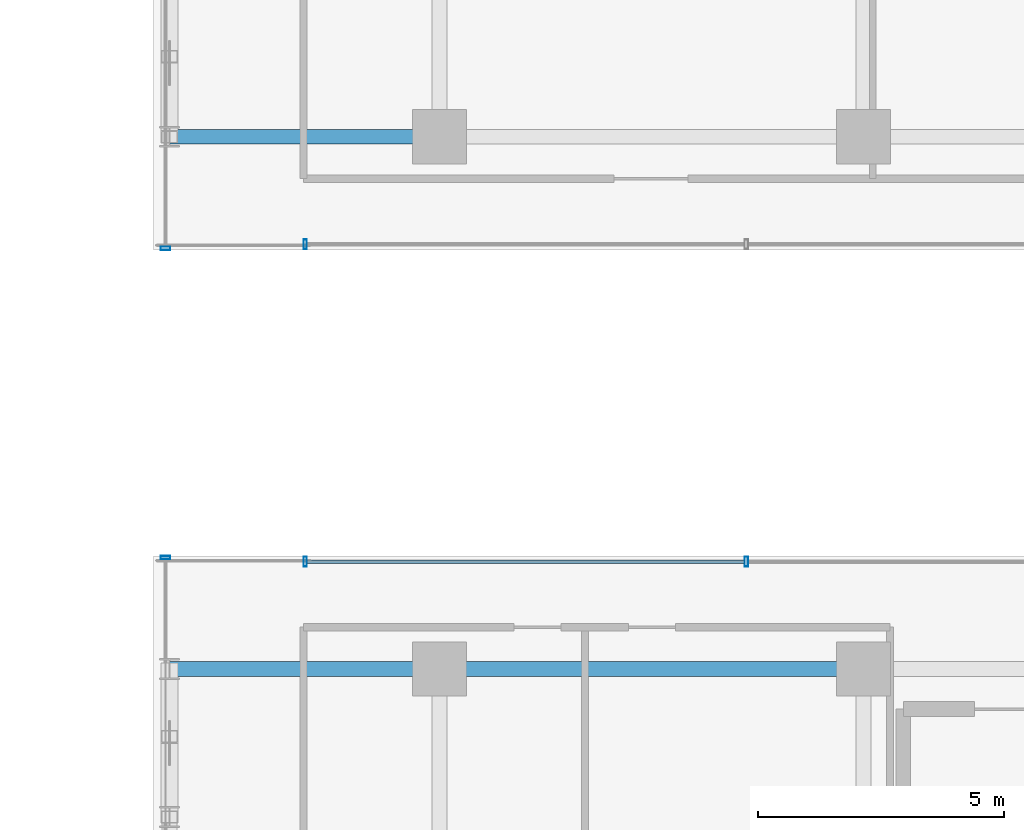
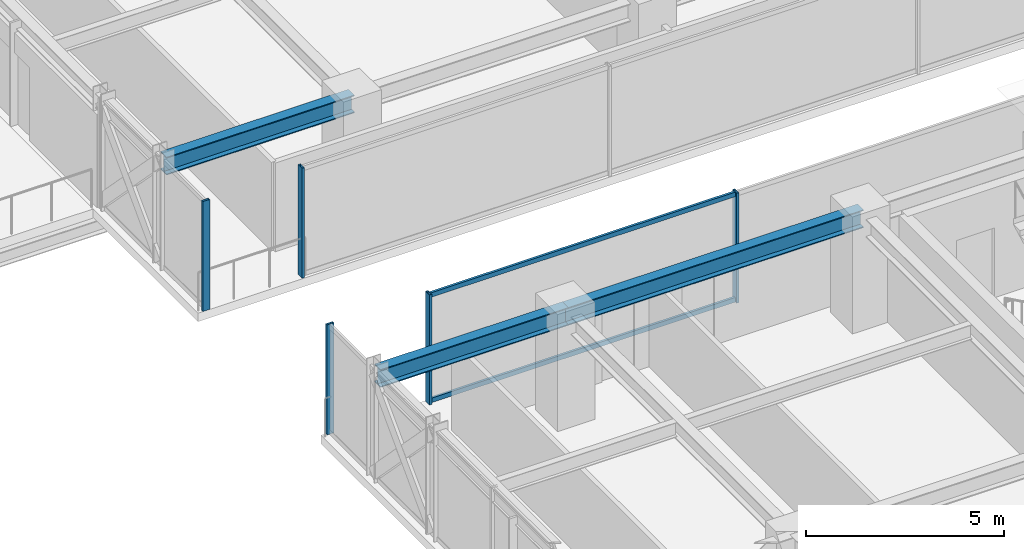
# One storey, part 8 of 43: 7 members, 3 beams, 4 elements without a shape of their own.
"""IFC4 building model written with IfcOpenShell, lengths in metres."""

from ifc_helpers import new_model, si_unit, direction, frame, origin, origin_2d, place, context, subcontext, project, spatial, hollow_rectangle, i_section, extrude, source, transform, mapped, material, material_profile, profile_set, type_object, element, aggregate, save


model = new_model("IFC4")

# Units and contexts
model_context = context("Model", 3, precision=1e-05, world=origin(), true_north=direction((0.0, 1.0)))
body_context = subcontext(model_context, "Body", "Model", "MODEL_VIEW")
ifc_project = project(units=[si_unit("LENGTHUNIT", "METRE"), si_unit("AREAUNIT", "SQUARE_METRE"), si_unit("VOLUMEUNIT", "CUBIC_METRE"), si_unit("PLANEANGLEUNIT", "RADIAN"), si_unit("MASSUNIT", "GRAM", prefix="KILO")], contexts=[model_context])

# Site, building, storey
site_placement = place(None, origin())
site = spatial("IfcSite", under=ifc_project, at=site_placement, CompositionType="ELEMENT")
building_placement = place(site_placement, origin())
building = spatial("IfcBuilding", under=site, at=building_placement, Name="Nahalor Promenade Grand Hotel", CompositionType="ELEMENT")
storey_placement = place(building_placement, frame((0.0, 0.0, 181.85009765625)))
storey = spatial("IfcBuildingStorey", under=building, at=storey_placement, Name="L46", CompositionType="ELEMENT", Elevation=181.85009765625)

# Beams
ifc_material_1 = material(Name="Steel S355JR", Category="steel")
ifc_material_profile_1 = material_profile(ifc_material_1, i_section(OverallWidth=0.3, OverallDepth=0.55, WebThickness=0.015, FlangeThickness=0.029, at=origin_2d()), Name="HEB 550")
ifc_profile_set_1 = profile_set([ifc_material_profile_1], Name="Steel S355JR")
beam_type = type_object("IfcBeamType", Name="Beam-Girder-HEB550", PredefinedType="BEAM", material=ifc_profile_set_1)
shared_shape_1 = source(origin(), body_context, "Body", "SweptSolid", [
    extrude(i_section(OverallWidth=0.3, OverallDepth=0.55, WebThickness=0.015, FlangeThickness=0.029, at=origin_2d()), origin(), (0.0, 0.0, 1.0), 8.60009765625),
])
beam_placement = place(storey_placement, frame((-17.0, -5.39990234375, 3.114990234375), z_axis=(1.0, 0.0, 0.0), x_axis=(0.0, 1.0, 0.0)))
element("IfcBeam", 1, at=beam_placement, inside=storey, type_object=beam_type, Name="BM-L46-GX-1-1", PredefinedType="BEAM", context=body_context, shape_type="MappedRepresentation", body=[
    mapped(shared_shape_1, transform((0.0, 0.0, 0.0), scale=1.0)),
])
shared_shape_2 = source(origin(), body_context, "Body", "SweptSolid", [
    extrude(i_section(OverallWidth=0.3, OverallDepth=0.55, WebThickness=0.015, FlangeThickness=0.029, at=origin_2d()), origin(), (0.0, 0.0, 1.0), 5.47998046875),
])
for number, where, z_axis, x_axis, name in (
    (2, (-22.47998046875, -5.39990234375, 3.114990234375), (1.0, 0.0, 0.0), (0.0, 1.0, 0.0), "BM-L46-GX-1-0"),
    (3, (-22.47998046875, 5.39990234375, 3.114990234375), (1.0, 0.0, 0.0), (0.0, 1.0, 0.0), "BM-L46-GX-2-0"),
):
    element("IfcBeam", number, at=place(storey_placement, frame(where, z_axis=z_axis, x_axis=x_axis)), inside=storey, type_object=beam_type, Name=name, PredefinedType="BEAM", context=body_context, shape_type="MappedRepresentation", body=[
        mapped(shared_shape_2, transform((0.0, 0.0, 0.0), scale=1.0)),
    ])

# Curtain wall, members
ifc_material_2 = material(Name="Anodised Bronze Aluminium EN AW-6063 T6", Category="aluminium")
curtain_wall_type = type_object("IfcCurtainWallType", Name="CW3 Elliptical-Void Collar Unitised Curtain Wall", PredefinedType="USERDEFINED", material=ifc_material_2)
curtain_wall_1_placement = place(storey_placement, origin())
curtain_wall_1 = element("IfcCurtainWall", 4, at=curtain_wall_1_placement, inside=storey, type_object=curtain_wall_type, Name="L46 Curtain Wall CW-L46-VOID-WS1", ObjectType="UNITISED_CURTAIN_WALL", PredefinedType="USERDEFINED")
ifc_material_profile_2 = material_profile(ifc_material_2, hollow_rectangle(XDim=0.07, YDim=0.14, WallThickness=0.004, at=origin_2d()), Name="CWT 70x140x4")
ifc_profile_set_2 = profile_set([ifc_material_profile_2], Name="Anodised Bronze Aluminium EN AW-6063 T6")
member_type_1 = type_object("IfcMemberType", Name="CWT3 Void Collar Transom 70x140", PredefinedType="USERDEFINED", material=ifc_profile_set_2)
shared_shape_3 = source(origin(), body_context, "Body", "SweptSolid", [
    extrude(hollow_rectangle(XDim=0.07, YDim=0.14, WallThickness=0.004, at=origin_2d()), origin(), (0.0, 0.0, 1.0), 8.881591796875),
])
member_1_placement = place(storey_placement, frame((-19.68994140625, -3.219970703125, 0.06982421875), z_axis=(1.0, 0.0, 0.0), x_axis=(0.0, 1.0, 0.0)))
member_1 = element("IfcMember", 5, at=member_1_placement, type_object=member_type_1, Name="CW-L46-VOID-WS1 Transom 0-0", ObjectType="TRANSOM", PredefinedType="USERDEFINED", context=body_context, shape_type="MappedRepresentation", body=[
    mapped(shared_shape_3, transform((0.0, 0.0, 0.0), scale=1.0)),
])
member_2_placement = place(storey_placement, frame((-19.68994140625, -3.219970703125, 3.31982421875), z_axis=(1.0, 0.0, 0.0), x_axis=(0.0, 1.0, 0.0)))
member_2 = element("IfcMember", 6, at=member_2_placement, type_object=member_type_1, Name="CW-L46-VOID-WS1 Transom 0-1", ObjectType="TRANSOM", PredefinedType="USERDEFINED", context=body_context, shape_type="MappedRepresentation", body=[
    mapped(shared_shape_3, transform((0.0, 0.0, 0.0), scale=1.0)),
])

# Curtain wall, member
curtain_wall_2_placement = place(storey_placement, origin())
curtain_wall_2 = element("IfcCurtainWall", 7, at=curtain_wall_2_placement, inside=storey, type_object=curtain_wall_type, Name="L46 Curtain Wall CW-L46-W-1", ObjectType="UNITISED_CURTAIN_WALL", PredefinedType="USERDEFINED")
ifc_material_profile_3 = material_profile(ifc_material_2, hollow_rectangle(XDim=0.07, YDim=0.2, WallThickness=0.005, at=origin_2d()), Name="CWM 70x200x5")
ifc_profile_set_3 = profile_set([ifc_material_profile_3], Name="Anodised Bronze Aluminium EN AW-6063 T6")
member_type_2 = type_object("IfcMemberType", Name="CWM3 Void Collar Mullion 70x200", PredefinedType="MULLION", material=ifc_profile_set_3)
shared_shape_4 = source(origin(), body_context, "Body", "SweptSolid", [
    extrude(hollow_rectangle(XDim=0.07, YDim=0.2, WallThickness=0.005, at=origin_2d()), origin(), (0.0, 0.0, 1.0), 3.389892578125),
])
member_3_placement = place(storey_placement, frame((-22.56005859375, -3.135009765625, 0.0), z_axis=(0.0, 0.0, 1.0), x_axis=(0.0, 1.0, 0.0)))
member_3 = element("IfcMember", 8, at=member_3_placement, type_object=member_type_2, Name="CW-L46-W-1 Mullion 2", PredefinedType="MULLION", context=body_context, shape_type="MappedRepresentation", body=[
    mapped(shared_shape_4, transform((0.0, 0.0, 0.0), scale=1.0)),
])
aggregate(curtain_wall_2, [member_3])

curtain_wall_3_placement = place(storey_placement, origin())
curtain_wall_3 = element("IfcCurtainWall", 9, at=curtain_wall_3_placement, inside=storey, type_object=curtain_wall_type, Name="L46 Curtain Wall CW-L46-W-2", ObjectType="UNITISED_CURTAIN_WALL", PredefinedType="USERDEFINED")
member_4_placement = place(storey_placement, frame((-22.56005859375, 3.135009765625, 0.0), z_axis=(0.0, 0.0, 1.0), x_axis=(0.0, 1.0, 0.0)))
member_4 = element("IfcMember", 10, at=member_4_placement, type_object=member_type_2, Name="CW-L46-W-2 Mullion 0", PredefinedType="MULLION", context=body_context, shape_type="MappedRepresentation", body=[
    mapped(shared_shape_4, transform((0.0, 0.0, 0.0), scale=1.0)),
])
aggregate(curtain_wall_3, [member_4])

# Member
member_5_placement = place(storey_placement, frame((-19.72509765625, -3.219970703125, 0.0), z_axis=(0.0, 0.0, 1.0), x_axis=(1.0, 0.0, 0.0)))
member_5 = element("IfcMember", 11, at=member_5_placement, type_object=member_type_2, Name="CW-L46-VOID-WS1 Mullion 0", PredefinedType="MULLION", context=body_context, shape_type="MappedRepresentation", body=[
    mapped(shared_shape_4, transform((0.0, 0.0, 0.0), scale=1.0)),
])

member_6_placement = place(storey_placement, frame((-10.7734375, -3.219970703125, 0.0), z_axis=(0.0, 0.0, 1.0), x_axis=(1.0, 0.0, 0.0)))
member_6 = element("IfcMember", 12, at=member_6_placement, type_object=member_type_2, Name="CW-L46-VOID-WS1 Mullion 1", PredefinedType="MULLION", context=body_context, shape_type="MappedRepresentation", body=[
    mapped(shared_shape_4, transform((0.0, 0.0, 0.0), scale=1.0)),
])

aggregate(curtain_wall_1, [member_5, member_6, member_1, member_2])

# Curtain wall, member
curtain_wall_4_placement = place(storey_placement, origin())
curtain_wall_4 = element("IfcCurtainWall", 13, at=curtain_wall_4_placement, inside=storey, type_object=curtain_wall_type, Name="L46 Curtain Wall CW-L46-VOID-WN1", ObjectType="UNITISED_CURTAIN_WALL", PredefinedType="USERDEFINED")
member_7_placement = place(storey_placement, frame((-19.72509765625, 3.219970703125, 0.0), z_axis=(0.0, 0.0, 1.0), x_axis=(1.0, 0.0, 0.0)))
member_7 = element("IfcMember", 14, at=member_7_placement, type_object=member_type_2, Name="CW-L46-VOID-WN1 Mullion 0", PredefinedType="MULLION", context=body_context, shape_type="MappedRepresentation", body=[
    mapped(shared_shape_4, transform((0.0, 0.0, 0.0), scale=1.0)),
])
aggregate(curtain_wall_4, [member_7])

save(model, "model.ifc")
